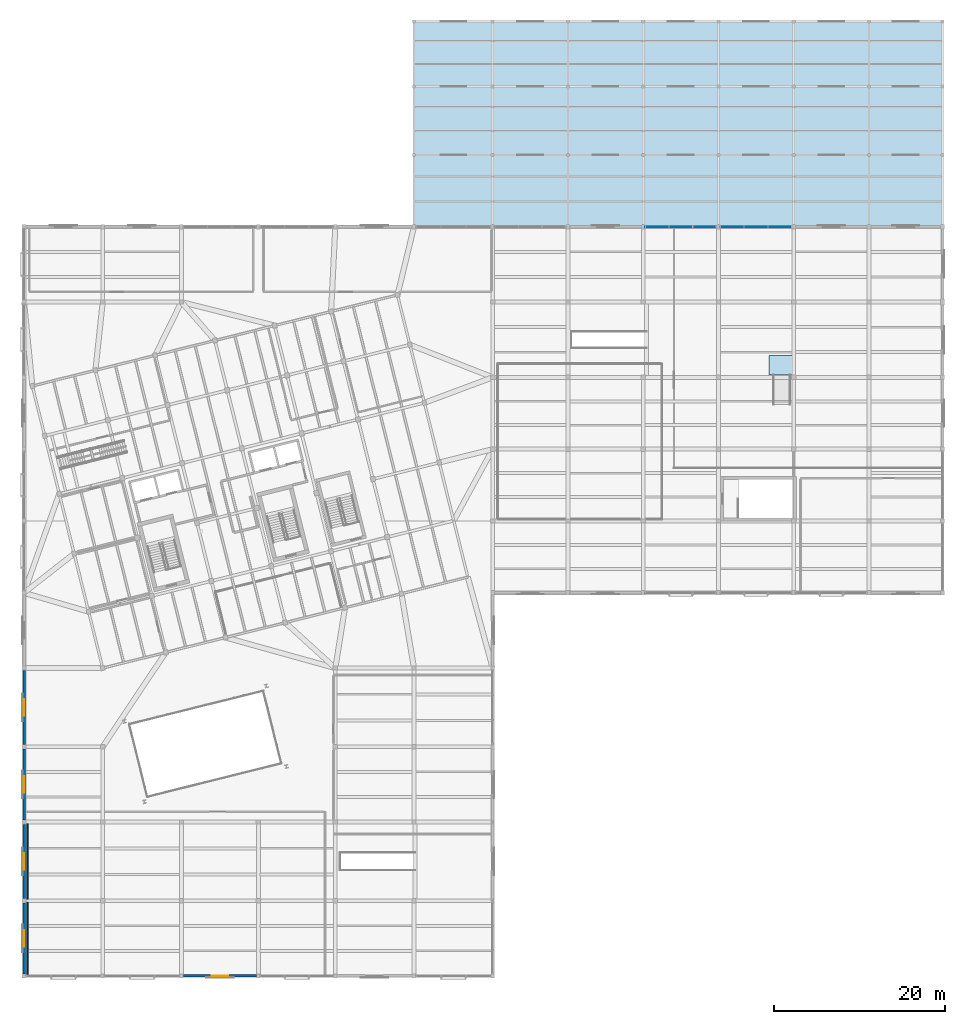
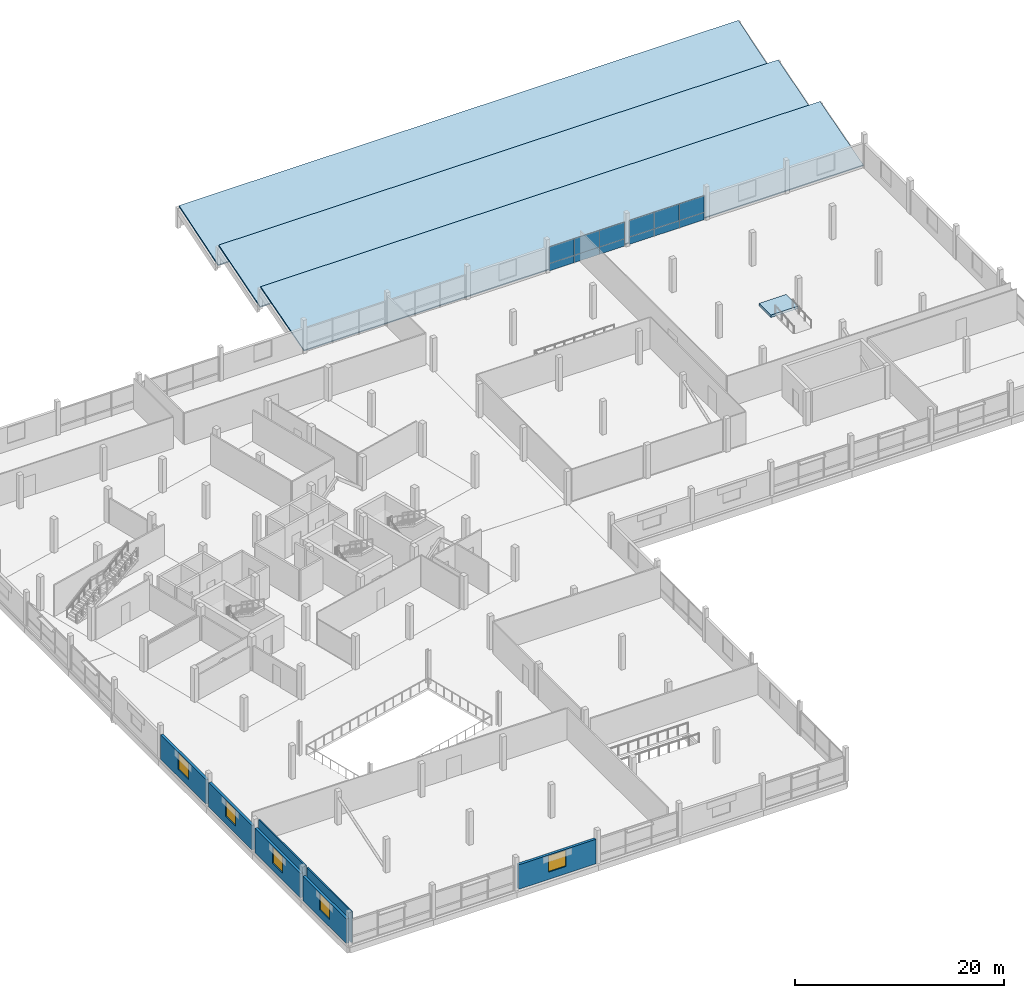
# One storey, part 50 of 62: 12 plates, 7 walls, 5 windows, 4 slabs, 5 openings, 5 elements without a shape of their own.
"""IFC4 building model written with IfcOpenShell, lengths in metres."""

import ifcopenshell
import ifcopenshell.guid

model = None  # the IFC model being written
_history = None  # IfcOwnerHistory: only IFC2X3 demands one
_inside = {}  # id of a spatial element -> (the spatial element, [elements in it])
_under = {}  # id of a project, library or spatial element -> (it, [spatial elements below it])
_declared = {}  # id of a project -> (the project, [libraries it declares])
_typed = {}  # id of a type object -> (the type object, [elements of that type])
_made_of = {}  # id of a material, layer set ... -> (it, [elements and type objects made of it])


def new_model(schema):
    """Start an empty IFC model of exactly this schema.

    Asked for "IFC4X3", IfcOpenShell would pick the latest addendum, in which some entities
    have other attributes; the version numbers below select the first issue.
    IFC2X3 requires an IfcOwnerHistory on every rooted entity: one is made here for all.
    """
    global model, _history
    if schema == "IFC4X3":
        model = ifcopenshell.file(schema_version=(4, 3, 0, 0))
    else:
        model = ifcopenshell.file(schema=schema)
    _inside.clear()
    _under.clear()
    _declared.clear()
    _typed.clear()
    _made_of.clear()
    _history = None
    if model.schema == "IFC2X3":
        org = make("IfcOrganization", Name="unknown")
        user = make(
            "IfcPersonAndOrganization",
            ThePerson=make("IfcPerson", FamilyName="unknown"),
            TheOrganization=org,
        )
        app = make(
            "IfcApplication",
            ApplicationDeveloper=org,
            Version="unknown",
            ApplicationFullName="unknown",
            ApplicationIdentifier="unknown",
        )
        _history = make(
            "IfcOwnerHistory",
            OwningUser=user,
            OwningApplication=app,
            ChangeAction="ADDED",
            CreationDate=0,
        )
    return model


def make(cls, **values):
    """One entity of the class cls with the attributes given. An attribute that is None is left unset."""
    return model.create_entity(
        cls, **{name: value for name, value in values.items() if value is not None}
    )


def rooted(cls, **values):
    """An entity with a GlobalId (a new one), such as an element, a storey or a relation."""
    return make(cls, GlobalId=ifcopenshell.guid.new(), OwnerHistory=_history, **values)


def si_unit(unit_type, name, prefix=None):
    """IfcSIUnit, for example si_unit("LENGTHUNIT", "METRE", prefix="MILLI")."""
    return make("IfcSIUnit", UnitType=unit_type, Prefix=prefix, Name=name)


def assignment(units):
    """IfcUnitAssignment: the units of a project."""
    return None if units is None else make("IfcUnitAssignment", Units=units)


def point(xyz):
    """IfcCartesianPoint."""
    return None if xyz is None else make("IfcCartesianPoint", Coordinates=xyz)


def direction(xyz):
    """IfcDirection."""
    return None if xyz is None else make("IfcDirection", DirectionRatios=xyz)


def frame(location, z_axis=None, x_axis=None):
    """IfcAxis2Placement3D, a coordinate frame: its origin and axes. An axis left out is left unset."""
    return make(
        "IfcAxis2Placement3D",
        Location=point(location),
        Axis=direction(z_axis),
        RefDirection=direction(x_axis),
    )


def frame_2d(location, x_axis=None):
    """IfcAxis2Placement2D, a coordinate frame in the plane: its origin and x axis."""
    return make(
        "IfcAxis2Placement2D", Location=point(location), RefDirection=direction(x_axis)
    )


def origin():
    """The frame at (0, 0, 0) with its axes left unset."""
    return frame((0.0, 0.0, 0.0))


def origin_2d():
    """The frame at (0, 0) in the plane with its x axis left unset."""
    return frame_2d((0.0, 0.0))


def place(relative_to, where):
    """IfcLocalPlacement: puts the frame where relative to a parent placement (None: the world)."""
    return make(
        "IfcLocalPlacement", PlacementRelTo=relative_to, RelativePlacement=where
    )


def context(
    kind, dimensions, precision=None, world=None, true_north=None, identifier=None
):
    """IfcGeometricRepresentationContext, for example the 3D "Model" context."""
    return make(
        "IfcGeometricRepresentationContext",
        ContextIdentifier=identifier,
        ContextType=kind,
        CoordinateSpaceDimension=dimensions,
        Precision=precision,
        WorldCoordinateSystem=world,
        TrueNorth=true_north,
    )


def subcontext(parent, identifier, kind, view, scale=None):
    """IfcGeometricRepresentationSubContext, for example "Body" below "Model"."""
    return make(
        "IfcGeometricRepresentationSubContext",
        ContextIdentifier=identifier,
        ContextType=kind,
        ParentContext=parent,
        TargetScale=scale,
        TargetView=view,
    )


def project(units=None, contexts=None):
    """IfcProject with its units and contexts."""
    return rooted(
        "IfcProject",
        Name="project",
        RepresentationContexts=contexts,
        UnitsInContext=assignment(units),
    )


def spatial(cls, under=None, at=None, **own):
    """A site, building, storey or space (cls), placed at a placement, below another one or the project."""
    s = rooted(cls, ObjectPlacement=at, **own)
    if under is not None:
        _under.setdefault(under.id(), (under, []))[1].append(s)
    return s


def polyline(points):
    """IfcPolyline through the points."""
    return make("IfcPolyline", Points=[point(p) for p in points])


def profile(cls, at=None, kind="AREA", **sizes):
    """A parametric profile (cls). Its sizes go by their IFC names, for example OverallWidth=200.0."""
    return make(cls, ProfileType=kind, Position=at, **sizes)


def rectangle(**sizes):
    """IfcRectangleProfileDef."""
    return profile("IfcRectangleProfileDef", **sizes)


def outline(outer, holes=None, kind="AREA"):
    """IfcArbitraryClosedProfileDef: a profile drawn as a closed curve; with holes, ...WithVoids."""
    if holes is None:
        return make("IfcArbitraryClosedProfileDef", ProfileType=kind, OuterCurve=outer)
    return make(
        "IfcArbitraryProfileDefWithVoids",
        ProfileType=kind,
        OuterCurve=outer,
        InnerCurves=holes,
    )


def extrude(swept, where, along, depth):
    """IfcExtrudedAreaSolid: the profile swept, set in the frame where, extruded along a direction by depth."""
    return make(
        "IfcExtrudedAreaSolid",
        SweptArea=swept,
        Position=where,
        ExtrudedDirection=direction(along),
        Depth=depth,
    )


def shape(context_of_items, identifier, shape_type, items):
    """IfcShapeRepresentation: the items that make up one representation, for example the "Body"."""
    return make(
        "IfcShapeRepresentation",
        ContextOfItems=context_of_items,
        RepresentationIdentifier=identifier,
        RepresentationType=shape_type,
        Items=items,
    )


def material(Name=None, Category=None):
    """IfcMaterial."""
    return make("IfcMaterial", Name=Name, Category=Category)


def layer(
    of_material, thickness, ventilated=None, Name=None, Category=None, Priority=None
):
    """IfcMaterialLayer: one layer of a wall or slab, of a material (None: an air gap)."""
    return make(
        "IfcMaterialLayer",
        Material=of_material,
        LayerThickness=thickness,
        IsVentilated=ventilated,
        Name=Name,
        Category=Category,
        Priority=Priority,
    )


def layer_set(layers, Name=None):
    """IfcMaterialLayerSet."""
    return make("IfcMaterialLayerSet", MaterialLayers=layers, LayerSetName=Name)


def made_of(thing, what):
    """Note that an element or type object is made of a material, layer set ...; save() writes the relation."""
    if what is not None:
        _made_of.setdefault(what.id(), (what, []))[1].append(thing)
    return thing


def type_object(cls, material=None, **own):
    """A type object (cls), such as IfcWallType, which elements share."""
    return made_of(rooted(cls, **own), material)


def element(
    cls,
    number,
    at=None,
    inside=None,
    cuts=None,
    type_object=None,
    material=None,
    context=None,
    identifier="Body",
    shape_type=None,
    held_by="IfcProductDefinitionShape",
    body=None,
    shapes=None,
    **own,
):
    """One element of the class cls, such as IfcWall. Its Tag is "e" and its number.

    at: its placement. inside: the storey or other place that contains it. cuts: it is an
    opening in that element (IfcRelVoidsElement). A single representation is given by context,
    identifier, shape_type and body (its items); several are given by shapes. held_by: the class
    of the entity that holds the representations. save() writes the other relations.
    """
    e = rooted(cls, Tag="e%d" % number, ObjectPlacement=at, **own)
    if body is not None:
        shapes = [shape(context, identifier, shape_type, body)]
    if shapes is not None:
        e.Representation = make(held_by, Representations=shapes)
    if inside is not None:
        _inside.setdefault(inside.id(), (inside, []))[1].append(e)
    if cuts is not None:
        rooted(
            "IfcRelVoidsElement", RelatingBuildingElement=cuts, RelatedOpeningElement=e
        )
    if type_object is not None:
        _typed.setdefault(type_object.id(), (type_object, []))[1].append(e)
    return made_of(e, material)


def fill(opening, filler):
    """IfcRelFillsElement: the door or window that sits in an opening."""
    return rooted(
        "IfcRelFillsElement",
        RelatingOpeningElement=opening,
        RelatedBuildingElement=filler,
    )


def aggregate(whole, parts):
    """IfcRelAggregates: a whole, such as a stair, and the parts it consists of."""
    return rooted("IfcRelAggregates", RelatingObject=whole, RelatedObjects=parts)


def save(model, path):
    """Write the relations noted so far, then the file.

    IfcRelAggregates (storeys below a building ...), IfcRelContainedInSpatialStructure (elements
    in a storey), IfcRelDefinesByType, IfcRelAssociatesMaterial and IfcRelDeclares: one each for
    every whole, place, type object, material and project.
    """
    for whole, parts in _under.values():
        aggregate(whole, parts)
    for where, things in _inside.values():
        rooted(
            "IfcRelContainedInSpatialStructure",
            RelatedElements=things,
            RelatingStructure=where,
        )
    for kind, things in _typed.values():
        rooted("IfcRelDefinesByType", RelatedObjects=things, RelatingType=kind)
    for what, things in _made_of.values():
        rooted("IfcRelAssociatesMaterial", RelatedObjects=things, RelatingMaterial=what)
    for by, libraries in _declared.values():
        rooted("IfcRelDeclares", RelatingContext=by, RelatedDefinitions=libraries)
    model.write(path)


model = new_model("IFC4")

# Units and contexts
model_context = context("Model", 3, precision=1e-05, world=origin(), true_north=direction((0.0, 1.0)))
body_context = subcontext(model_context, "Body", "Model", "MODEL_VIEW")
ifc_project = project(units=[si_unit("LENGTHUNIT", "METRE"), si_unit("AREAUNIT", "SQUARE_METRE"), si_unit("VOLUMEUNIT", "CUBIC_METRE"), si_unit("PLANEANGLEUNIT", "RADIAN"), si_unit("MASSUNIT", "GRAM", prefix="KILO")], contexts=[model_context])

# Site, building, storey
site_placement = place(None, origin())
site = spatial("IfcSite", under=ifc_project, at=site_placement, CompositionType="ELEMENT")
building_placement = place(site_placement, origin())
building = spatial("IfcBuilding", under=site, at=building_placement, Name="Meriwether Solvik Hall", CompositionType="ELEMENT")
storey_placement = place(building_placement, frame((0.0, 0.0, 14.39990234375)))
storey = spatial("IfcBuildingStorey", under=building, at=storey_placement, Name="L03", CompositionType="ELEMENT", Elevation=14.39990234375)

# Curtain wall, plates
ifc_material_1 = material(Name="Thermally Broken Anodised Aluminium 6063-T6 and Low-E Glass", Category="aluminium")
ifc_layer_1 = layer(ifc_material_1, 0.179931640625)
ifc_layer_set_1 = layer_set([ifc_layer_1], Name="Thermally Broken Anodised Aluminium 6063-T6 and Low-E Glass")
curtain_wall_type = type_object("IfcCurtainWallType", Name="CW-UNIT-E", PredefinedType="USERDEFINED", material=ifc_layer_set_1)
curtain_wall_1_placement = place(storey_placement, origin())
curtain_wall_1 = element("IfcCurtainWall", 1, at=curtain_wall_1_placement, inside=storey, type_object=curtain_wall_type, Name="Curtain Wall wing_XK_15_20 (L03)", ObjectType="UNITISED CURTAIN WALL", PredefinedType="USERDEFINED")
ifc_material_2 = material(Name="Low-Emissivity Double-Glazed Laminated Glass", Category="glass")
ifc_layer_2 = layer(ifc_material_2, 0.031982421875)
ifc_layer_set_2 = layer_set([ifc_layer_2], Name="Low-Emissivity Double-Glazed Laminated Glass")
plate_type_1 = type_object("IfcPlateType", Name="PLT-GLZ-225X195", PredefinedType="CURTAIN_PANEL", material=ifc_layer_set_2)
plate_1_placement = place(storey_placement, frame((133.43359375, 92.800048828125, 0.856689453125), z_axis=(0.0, 0.0, 1.0), x_axis=(1.0, 0.0, 0.0)))
plate_1 = element("IfcPlate", 2, at=plate_1_placement, type_object=plate_type_1, Name="Low-E Vision Glazing Panel 1", PredefinedType="CURTAIN_PANEL", context=body_context, shape_type="SweptSolid", body=[
    extrude(rectangle(XDim=2.7392578125, YDim=0.033935546875, at=origin_2d()), origin(), (0.0, 0.0, 1.0), 1.9384765625),
])
plate_2_placement = place(storey_placement, frame((136.199951171875, 92.800048828125, 0.856689453125), z_axis=(0.0, 0.0, 1.0), x_axis=(1.0, 0.0, 0.0)))
plate_2 = element("IfcPlate", 3, at=plate_2_placement, type_object=plate_type_1, Name="Low-E Vision Glazing Panel 2", PredefinedType="CURTAIN_PANEL", context=body_context, shape_type="SweptSolid", body=[
    extrude(rectangle(XDim=2.77734375, YDim=0.033935546875, at=origin_2d()), origin(), (0.0, 0.0, 1.0), 1.9384765625),
])
plate_3_placement = place(storey_placement, frame((138.96630859375, 92.800048828125, 0.856689453125), z_axis=(0.0, 0.0, 1.0), x_axis=(1.0, 0.0, 0.0)))
plate_3 = element("IfcPlate", 4, at=plate_3_placement, type_object=plate_type_1, Name="Low-E Vision Glazing Panel 3", PredefinedType="CURTAIN_PANEL", context=body_context, shape_type="SweptSolid", body=[
    extrude(rectangle(XDim=2.7392578125, YDim=0.033935546875, at=origin_2d()), origin(), (0.0, 0.0, 1.0), 1.9384765625),
])

curtain_wall_2_placement = place(storey_placement, origin())
curtain_wall_2 = element("IfcCurtainWall", 5, at=curtain_wall_2_placement, inside=storey, type_object=curtain_wall_type, Name="Curtain Wall wing_XK_16_21 (L03)", ObjectType="UNITISED CURTAIN WALL", PredefinedType="USERDEFINED")
plate_4_placement = place(storey_placement, frame((142.233642578125, 92.800048828125, 0.856689453125), z_axis=(0.0, 0.0, 1.0), x_axis=(1.0, 0.0, 0.0)))
plate_4 = element("IfcPlate", 6, at=plate_4_placement, type_object=plate_type_1, Name="Low-E Vision Glazing Panel 1", PredefinedType="CURTAIN_PANEL", context=body_context, shape_type="SweptSolid", body=[
    extrude(rectangle(XDim=2.7392578125, YDim=0.033935546875, at=origin_2d()), origin(), (0.0, 0.0, 1.0), 1.9384765625),
])
plate_5_placement = place(storey_placement, frame((145.0, 92.800048828125, 0.856689453125), z_axis=(0.0, 0.0, 1.0), x_axis=(1.0, 0.0, 0.0)))
plate_5 = element("IfcPlate", 7, at=plate_5_placement, type_object=plate_type_1, Name="Low-E Vision Glazing Panel 2", PredefinedType="CURTAIN_PANEL", context=body_context, shape_type="SweptSolid", body=[
    extrude(rectangle(XDim=2.77734375, YDim=0.033935546875, at=origin_2d()), origin(), (0.0, 0.0, 1.0), 1.9384765625),
])
plate_6_placement = place(storey_placement, frame((147.766357421875, 92.800048828125, 0.856689453125), z_axis=(0.0, 0.0, 1.0), x_axis=(1.0, 0.0, 0.0)))
plate_6 = element("IfcPlate", 8, at=plate_6_placement, type_object=plate_type_1, Name="Low-E Vision Glazing Panel 3", PredefinedType="CURTAIN_PANEL", context=body_context, shape_type="SweptSolid", body=[
    extrude(rectangle(XDim=2.7392578125, YDim=0.033935546875, at=origin_2d()), origin(), (0.0, 0.0, 1.0), 1.9384765625),
])

# Plate
ifc_material_3 = material(Name="Mineral-Wool Insulated Anodised Aluminium 6063-T6", Category="aluminium")
ifc_layer_3 = layer(ifc_material_3, 0.044921875)
ifc_layer_set_3 = layer_set([ifc_layer_3], Name="Mineral-Wool Insulated Anodised Aluminium 6063-T6")
plate_type_2 = type_object("IfcPlateType", Name="PLT-SPN-225X085", PredefinedType="CURTAIN_PANEL", material=ifc_layer_set_3)
plate_7_placement = place(storey_placement, frame((133.43359375, 92.800048828125, 0.000244140625), z_axis=(0.0, 0.0, 1.0), x_axis=(1.0, 0.0, 0.0)))
plate_7 = element("IfcPlate", 9, at=plate_7_placement, type_object=plate_type_2, Name="Insulated Spandrel Panel 1", PredefinedType="CURTAIN_PANEL", context=body_context, shape_type="SweptSolid", body=[
    extrude(rectangle(XDim=2.7392578125, YDim=0.044921875, at=origin_2d()), origin(), (0.0, 0.0, 1.0), 0.8564453125),
])

plate_8_placement = place(storey_placement, frame((136.199951171875, 92.800048828125, 0.000244140625), z_axis=(0.0, 0.0, 1.0), x_axis=(1.0, 0.0, 0.0)))
plate_8 = element("IfcPlate", 10, at=plate_8_placement, type_object=plate_type_2, Name="Insulated Spandrel Panel 2", PredefinedType="CURTAIN_PANEL", context=body_context, shape_type="SweptSolid", body=[
    extrude(rectangle(XDim=2.77734375, YDim=0.044921875, at=origin_2d()), origin(), (0.0, 0.0, 1.0), 0.8564453125),
])

plate_9_placement = place(storey_placement, frame((138.96630859375, 92.800048828125, 0.000244140625), z_axis=(0.0, 0.0, 1.0), x_axis=(1.0, 0.0, 0.0)))
plate_9 = element("IfcPlate", 11, at=plate_9_placement, type_object=plate_type_2, Name="Insulated Spandrel Panel 3", PredefinedType="CURTAIN_PANEL", context=body_context, shape_type="SweptSolid", body=[
    extrude(rectangle(XDim=2.7392578125, YDim=0.044921875, at=origin_2d()), origin(), (0.0, 0.0, 1.0), 0.8564453125),
])

aggregate(curtain_wall_1, [plate_7, plate_1, plate_8, plate_2, plate_9, plate_3])

plate_10_placement = place(storey_placement, frame((142.233642578125, 92.800048828125, 0.000244140625), z_axis=(0.0, 0.0, 1.0), x_axis=(1.0, 0.0, 0.0)))
plate_10 = element("IfcPlate", 12, at=plate_10_placement, type_object=plate_type_2, Name="Insulated Spandrel Panel 1", PredefinedType="CURTAIN_PANEL", context=body_context, shape_type="SweptSolid", body=[
    extrude(rectangle(XDim=2.7392578125, YDim=0.044921875, at=origin_2d()), origin(), (0.0, 0.0, 1.0), 0.8564453125),
])

plate_11_placement = place(storey_placement, frame((145.0, 92.800048828125, 0.000244140625), z_axis=(0.0, 0.0, 1.0), x_axis=(1.0, 0.0, 0.0)))
plate_11 = element("IfcPlate", 13, at=plate_11_placement, type_object=plate_type_2, Name="Insulated Spandrel Panel 2", PredefinedType="CURTAIN_PANEL", context=body_context, shape_type="SweptSolid", body=[
    extrude(rectangle(XDim=2.77734375, YDim=0.044921875, at=origin_2d()), origin(), (0.0, 0.0, 1.0), 0.8564453125),
])

plate_12_placement = place(storey_placement, frame((147.766357421875, 92.800048828125, 0.000244140625), z_axis=(0.0, 0.0, 1.0), x_axis=(1.0, 0.0, 0.0)))
plate_12 = element("IfcPlate", 14, at=plate_12_placement, type_object=plate_type_2, Name="Insulated Spandrel Panel 3", PredefinedType="CURTAIN_PANEL", context=body_context, shape_type="SweptSolid", body=[
    extrude(rectangle(XDim=2.7392578125, YDim=0.044921875, at=origin_2d()), origin(), (0.0, 0.0, 1.0), 0.8564453125),
])

aggregate(curtain_wall_2, [plate_10, plate_4, plate_11, plate_5, plate_12, plate_6])

# Slab
ifc_material_4 = material(Name="Concrete C40/50", Category="concrete")
ifc_layer_4 = layer(ifc_material_4, 0.280029296875)
ifc_layer_set_4 = layer_set([ifc_layer_4], Name="Concrete C40/50")
slab_type_1 = type_object("IfcSlabType", Name="SLB-DAIS-280", PredefinedType="FLOOR", material=ifc_layer_set_4)
slab_1_placement = place(storey_placement, origin())
element("IfcSlab", 15, at=slab_1_placement, inside=storey, type_object=slab_type_1, Name="Accessible Speaker Dais AR5 (L03)", PredefinedType="FLOOR", context=body_context, shape_type="SweptSolid", body=[
    extrude(outline(polyline([(146.5, 75.48193359375), (149.5, 75.48193359375), (149.5, 77.739990234375), (146.5, 77.739990234375), (146.5, 75.48193359375)])), origin(), (0.0, 0.0, 1.0), 0.280029296875),
])

# Roof, slab
ifc_material_5 = material(Name="Cross-Laminated Timber PRG 320 E1", Category="wood")
ifc_layer_5 = layer(ifc_material_5, 0.2451171875)
ifc_layer_set_5 = layer_set([ifc_layer_5], Name="Cross-Laminated Timber PRG 320 E1")
roof_type = type_object("IfcRoofType", Name="ROOF-SHED-CLT", PredefinedType="SHED_ROOF", material=ifc_layer_set_5)
roof_1_placement = place(storey_placement, origin())
roof_1 = element("IfcRoof", 16, at=roof_1_placement, inside=storey, type_object=roof_type, Name="Pitched Mass-Timber Roof w2_saw_1 (L03)", PredefinedType="SHED_ROOF")
ifc_material_6 = material(Name="Cross-Laminated Timber PRG 320 E1", Category="wood")
ifc_layer_6 = layer(ifc_material_6, 0.159912109375)
ifc_layer_set_6 = layer_set([ifc_layer_6], Name="Cross-Laminated Timber PRG 320 E1")
slab_type_2 = type_object("IfcSlabType", Name="SLB-ROOF-160", PredefinedType="ROOF", material=ifc_layer_set_6)
slab_2_placement = place(storey_placement, frame((105.054931640625, 92.85498046875, 0.175048828125), z_axis=(0.0, -0.275958367481, 0.961169589311), x_axis=(1.0, 0.0, 0.0)))
slab_2 = element("IfcSlab", 17, at=slab_2_placement, type_object=slab_type_2, Name="Sloped CLT Roof Deck w2_saw_1 (L03)", PredefinedType="ROOF", context=body_context, shape_type="SweptSolid", body=[
    extrude(outline(polyline([(0.0, 0.0), (61.690185546875, 0.0), (61.690185546875, 8.62494938946125), (0.0, 8.62494938946125), (0.0, 0.0)])), origin(), (0.0, 0.0, -1.0), 0.159912109375),
])
aggregate(roof_1, [slab_2])

roof_2_placement = place(storey_placement, origin())
roof_2 = element("IfcRoof", 18, at=roof_2_placement, inside=storey, type_object=roof_type, Name="Pitched Mass-Timber Roof w2_saw_2 (L03)", PredefinedType="SHED_ROOF")
slab_3_placement = place(storey_placement, frame((105.054931640625, 101.2548828125, 0.175048828125), z_axis=(0.0, -0.288804292633, 0.957388155638), x_axis=(1.0, 0.0, 0.0)))
slab_3 = element("IfcSlab", 19, at=slab_3_placement, type_object=slab_type_2, Name="Sloped CLT Roof Deck w2_saw_2 (L03)", PredefinedType="ROOF", context=body_context, shape_type="SweptSolid", body=[
    extrude(outline(polyline([(0.0, 0.0), (61.690185546875, 0.0), (61.690185546875, 8.241314321973112), (0.0, 8.241314321973112), (0.0, 0.0)])), origin(), (0.0, 0.0, -1.0), 0.159912109375),
])
aggregate(roof_2, [slab_3])

roof_3_placement = place(storey_placement, origin())
roof_3 = element("IfcRoof", 20, at=roof_3_placement, inside=storey, type_object=roof_type, Name="Pitched Mass-Timber Roof w2_saw_3 (L03)", PredefinedType="SHED_ROOF")
slab_4_placement = place(storey_placement, frame((105.054931640625, 109.2548828125, 0.175048828125), z_axis=(0.0, -0.302842058532, 0.953040758616), x_axis=(1.0, 0.0, 0.0)))
slab_4 = element("IfcSlab", 21, at=slab_4_placement, type_object=slab_type_2, Name="Sloped CLT Roof Deck w2_saw_3 (L03)", PredefinedType="ROOF", context=body_context, shape_type="SweptSolid", body=[
    extrude(outline(polyline([(0.0, 0.0), (61.690185546875, 0.0), (61.690185546875, 7.8593011970164195), (0.0, 7.8593011970164195), (0.0, 0.0)])), origin(), (0.0, 0.0, -1.0), 0.159912109375),
])
aggregate(roof_3, [slab_4])

# Wall, opening, window
ifc_material_7 = material(Name="Cross-Laminated Timber and Mineral-Wool Insulation", Category="wood")
ifc_layer_7 = layer(ifc_material_7, 0.2900390625)
ifc_layer_set_7 = layer_set([ifc_layer_7], Name="Cross-Laminated Timber and Mineral-Wool Insulation")
wall_type_1 = type_object("IfcWallType", Name="WALL-EXT-290", PredefinedType="SOLIDWALL", material=ifc_layer_set_7)
wall_1_placement = place(storey_placement, frame((86.577880859375, 5.199951171875, 0.0), z_axis=(0.0, 0.0, 1.0), x_axis=(-1.0, 0.0, 0.0)))
wall_1 = element("IfcWall", 22, at=wall_1_placement, inside=storey, type_object=wall_type_1, Name="L03 S Wing Facade Wall XA_9_2", PredefinedType="SOLIDWALL", context=body_context, shape_type="SweptSolid", body=[
    extrude(rectangle(XDim=8.555908203125, YDim=0.2900390625, at=frame_2d((4.27783203125, 0.0))), origin(), (0.0, 0.0, 1.0), 2.85498046875),
])
opening_1_placement = place(wall_1_placement, frame((3.302978515625, 0.0, 0.85009765625)))
opening_1 = element("IfcOpeningElement", 23, at=opening_1_placement, cuts=wall_1, Name="Opening WN-158", PredefinedType="OPENING", context=body_context, shape_type="SweptSolid", body=[
    extrude(rectangle(XDim=1.949951171875, YDim=1.89990234375, at=frame_2d((0.97509765625, 0.949951171875))), frame((0.0, 0.156982421875, 0.0), z_axis=(0.0, -1.0, 0.0), x_axis=(1.0, 0.0, 0.0)), (0.0, 0.0, 1.0), 0.31396484375),
])
ifc_material_8 = material(Name="Thermally Broken Anodised Aluminium and Triple Low-E Glass", Category="aluminium")
window_type = type_object("IfcWindowType", Name="WIN-TW-LOW-195X190", PartitioningType="SINGLE_PANEL", PredefinedType="WINDOW", material=ifc_material_8)
window_1_placement = place(opening_1_placement, origin())
window_1 = element("IfcWindow", 24, at=window_1_placement, inside=storey, type_object=window_type, Name="L03 S Window XA_9_2", OverallHeight=1.89990234375, OverallWidth=1.949951171875, PartitioningType="SINGLE_PANEL", PredefinedType="WINDOW", context=body_context, shape_type="SweptSolid", body=[
    extrude(rectangle(XDim=1.949951171875, YDim=1.89990234375, at=frame_2d((0.97509765625, 0.949951171875))), frame((0.0, 0.030029296875, 0.0), z_axis=(0.0, -1.0, 0.0), x_axis=(1.0, 0.0, 0.0)), (0.0, 0.0, 1.0), 0.06005859375),
])
fill(opening_1, window_1)

wall_2_placement = place(storey_placement, frame((59.39990234375, 5.45947265625, 0.0), z_axis=(0.0, 0.0, 1.0), x_axis=(0.0, 1.0, 0.0)))
wall_2 = element("IfcWall", 25, at=wall_2_placement, inside=storey, type_object=wall_type_1, Name="L03 W Wing Facade Wall Y7_1_24", PredefinedType="SOLIDWALL", context=body_context, shape_type="SweptSolid", body=[
    extrude(rectangle(XDim=8.281005859375, YDim=0.2900390625, at=frame_2d((4.140625, 0.0))), origin(), (0.0, 0.0, 1.0), 2.85498046875),
])
opening_2_placement = place(wall_2_placement, frame((3.16552734375, 0.0, 0.85009765625)))
opening_2 = element("IfcOpeningElement", 26, at=opening_2_placement, cuts=wall_2, Name="Opening WN-158", PredefinedType="OPENING", context=body_context, shape_type="SweptSolid", body=[
    extrude(rectangle(XDim=1.949951171875, YDim=1.89990234375, at=frame_2d((0.97509765625, 0.949951171875))), frame((0.0, 0.156982421875, 0.0), z_axis=(0.0, -1.0, 0.0), x_axis=(1.0, 0.0, 0.0)), (0.0, 0.0, 1.0), 0.31396484375),
])
window_2_placement = place(opening_2_placement, origin())
window_2 = element("IfcWindow", 27, at=window_2_placement, inside=storey, type_object=window_type, Name="L03 W Window Y7_1_24", OverallHeight=1.89990234375, OverallWidth=1.949951171875, PartitioningType="SINGLE_PANEL", PredefinedType="WINDOW", context=body_context, shape_type="SweptSolid", body=[
    extrude(rectangle(XDim=1.949951171875, YDim=1.89990234375, at=frame_2d((0.97509765625, 0.949951171875))), frame((0.0, 0.030029296875, 0.0), z_axis=(0.0, -1.0, 0.0), x_axis=(1.0, 0.0, 0.0)), (0.0, 0.0, 1.0), 0.06005859375),
])
fill(opening_2, window_2)

wall_3_placement = place(storey_placement, frame((59.39990234375, 14.259521484375, 0.0), z_axis=(0.0, 0.0, 1.0), x_axis=(0.0, 1.0, 0.0)))
wall_3 = element("IfcWall", 28, at=wall_3_placement, inside=storey, type_object=wall_type_1, Name="L03 W Wing Facade Wall Y7_2_25", PredefinedType="SOLIDWALL", context=body_context, shape_type="SweptSolid", body=[
    extrude(rectangle(XDim=8.680908203125, YDim=0.2900390625, at=frame_2d((4.34033203125, 0.0))), origin(), (0.0, 0.0, 1.0), 2.85498046875),
])
opening_3_placement = place(wall_3_placement, frame((3.365478515625, 0.0, 0.85009765625)))
opening_3 = element("IfcOpeningElement", 29, at=opening_3_placement, cuts=wall_3, Name="Opening WN-158", PredefinedType="OPENING", context=body_context, shape_type="SweptSolid", body=[
    extrude(rectangle(XDim=1.949951171875, YDim=1.89990234375, at=frame_2d((0.97509765625, 0.949951171875))), frame((0.0, 0.156982421875, 0.0), z_axis=(0.0, -1.0, 0.0), x_axis=(1.0, 0.0, 0.0)), (0.0, 0.0, 1.0), 0.31396484375),
])
window_3_placement = place(opening_3_placement, origin())
window_3 = element("IfcWindow", 30, at=window_3_placement, inside=storey, type_object=window_type, Name="L03 W Window Y7_2_25", OverallHeight=1.89990234375, OverallWidth=1.949951171875, PartitioningType="SINGLE_PANEL", PredefinedType="WINDOW", context=body_context, shape_type="SweptSolid", body=[
    extrude(rectangle(XDim=1.949951171875, YDim=1.89990234375, at=frame_2d((0.97509765625, 0.949951171875))), frame((0.0, 0.030029296875, 0.0), z_axis=(0.0, -1.0, 0.0), x_axis=(1.0, 0.0, 0.0)), (0.0, 0.0, 1.0), 0.06005859375),
])
fill(opening_3, window_3)

wall_4_placement = place(storey_placement, frame((59.39990234375, 23.45947265625, 0.0), z_axis=(0.0, 0.0, 1.0), x_axis=(0.0, 1.0, 0.0)))
wall_4 = element("IfcWall", 31, at=wall_4_placement, inside=storey, type_object=wall_type_1, Name="L03 W Wing Facade Wall Y7_3_26", PredefinedType="SOLIDWALL", context=body_context, shape_type="SweptSolid", body=[
    extrude(rectangle(XDim=8.281005859375, YDim=0.2900390625, at=frame_2d((4.140625, 0.0))), origin(), (0.0, 0.0, 1.0), 2.85498046875),
])
opening_4_placement = place(wall_4_placement, frame((3.16552734375, 0.0, 0.85009765625)))
opening_4 = element("IfcOpeningElement", 32, at=opening_4_placement, cuts=wall_4, Name="Opening WN-158", PredefinedType="OPENING", context=body_context, shape_type="SweptSolid", body=[
    extrude(rectangle(XDim=1.949951171875, YDim=1.89990234375, at=frame_2d((0.97509765625, 0.949951171875))), frame((0.0, 0.156982421875, 0.0), z_axis=(0.0, -1.0, 0.0), x_axis=(1.0, 0.0, 0.0)), (0.0, 0.0, 1.0), 0.31396484375),
])
window_4_placement = place(opening_4_placement, origin())
window_4 = element("IfcWindow", 33, at=window_4_placement, inside=storey, type_object=window_type, Name="L03 W Window Y7_3_26", OverallHeight=1.89990234375, OverallWidth=1.949951171875, PartitioningType="SINGLE_PANEL", PredefinedType="WINDOW", context=body_context, shape_type="SweptSolid", body=[
    extrude(rectangle(XDim=1.949951171875, YDim=1.89990234375, at=frame_2d((0.97509765625, 0.949951171875))), frame((0.0, 0.030029296875, 0.0), z_axis=(0.0, -1.0, 0.0), x_axis=(1.0, 0.0, 0.0)), (0.0, 0.0, 1.0), 0.06005859375),
])
fill(opening_4, window_4)

wall_5_placement = place(storey_placement, frame((59.39990234375, 32.259521484375, 0.0), z_axis=(0.0, 0.0, 1.0), x_axis=(0.0, 1.0, 0.0)))
wall_5 = element("IfcWall", 34, at=wall_5_placement, inside=storey, type_object=wall_type_1, Name="L03 W Wing Facade Wall Y7_4_27", PredefinedType="SOLIDWALL", context=body_context, shape_type="SweptSolid", body=[
    extrude(rectangle(XDim=8.680908203125, YDim=0.2900390625, at=frame_2d((4.34033203125, 0.0))), origin(), (0.0, 0.0, 1.0), 2.85498046875),
])
opening_5_placement = place(wall_5_placement, frame((3.365478515625, 0.0, 0.85009765625)))
opening_5 = element("IfcOpeningElement", 35, at=opening_5_placement, cuts=wall_5, Name="Opening WN-158", PredefinedType="OPENING", context=body_context, shape_type="SweptSolid", body=[
    extrude(rectangle(XDim=1.949951171875, YDim=1.89990234375, at=frame_2d((0.97509765625, 0.949951171875))), frame((0.0, 0.156982421875, 0.0), z_axis=(0.0, -1.0, 0.0), x_axis=(1.0, 0.0, 0.0)), (0.0, 0.0, 1.0), 0.31396484375),
])
window_5_placement = place(opening_5_placement, origin())
window_5 = element("IfcWindow", 36, at=window_5_placement, inside=storey, type_object=window_type, Name="L03 W Window Y7_4_27", OverallHeight=1.89990234375, OverallWidth=1.949951171875, PartitioningType="SINGLE_PANEL", PredefinedType="WINDOW", context=body_context, shape_type="SweptSolid", body=[
    extrude(rectangle(XDim=1.949951171875, YDim=1.89990234375, at=frame_2d((0.97509765625, 0.949951171875))), frame((0.0, 0.030029296875, 0.0), z_axis=(0.0, -1.0, 0.0), x_axis=(1.0, 0.0, 0.0)), (0.0, 0.0, 1.0), 0.06005859375),
])
fill(opening_5, window_5)

# Walls
ifc_material_9 = material(Name="Gypsum Board Partition", Category="gypsum")
ifc_layer_8 = layer(ifc_material_9, 0.14990234375)
ifc_layer_set_8 = layer_set([ifc_layer_8], Name="Gypsum Board Partition")
wall_type_2 = type_object("IfcWallType", Name="WALL-PART-150", PredefinedType="PARTITIONING", material=ifc_layer_set_8)
wall_6_placement = place(storey_placement, frame((59.800048828125, 23.01953125, 0.0), z_axis=(0.0, 0.0, 1.0), x_axis=(0.0, -1.0, 0.0)))
element("IfcWall", 37, at=wall_6_placement, inside=storey, type_object=wall_type_2, Name="L03 Interior Partition hum_301_w", PredefinedType="PARTITIONING", context=body_context, shape_type="SweptSolid", body=[
    extrude(rectangle(XDim=8.8388671875, YDim=0.14990234375, at=frame_2d((4.41943359375, 0.0))), origin(), (0.0, 0.0, 1.0), 3.655029296875),
])
wall_7_placement = place(storey_placement, frame((59.800048828125, 13.8193359375, 0.0), z_axis=(0.0, 0.0, 1.0), x_axis=(0.0, -1.0, 0.0)))
element("IfcWall", 38, at=wall_7_placement, inside=storey, type_object=wall_type_2, Name="L03 Interior Partition hum_301_w_s2", PredefinedType="PARTITIONING", context=body_context, shape_type="SweptSolid", body=[
    extrude(rectangle(XDim=8.438720703125, YDim=0.14990234375, at=frame_2d((4.21923828125, 0.0))), origin(), (0.0, 0.0, 1.0), 3.655029296875),
])

save(model, "model.ifc")
